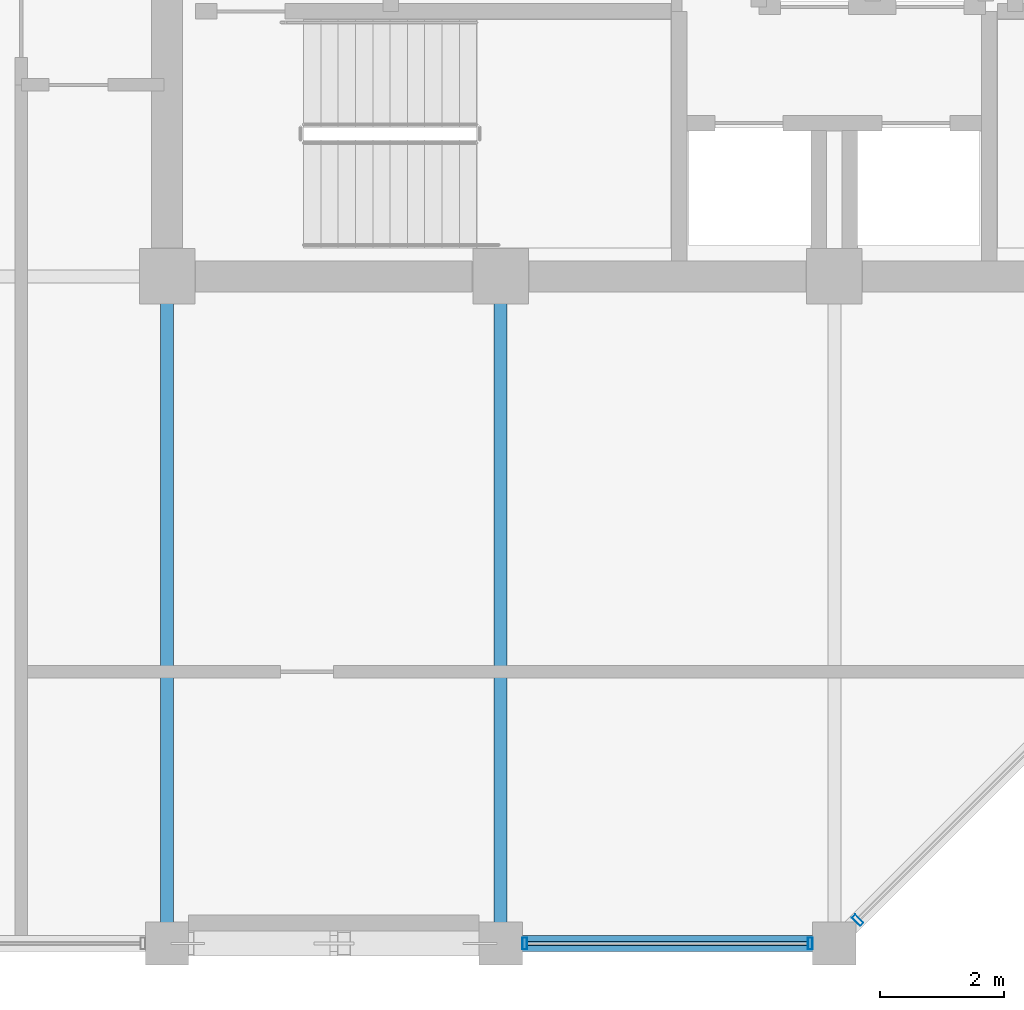
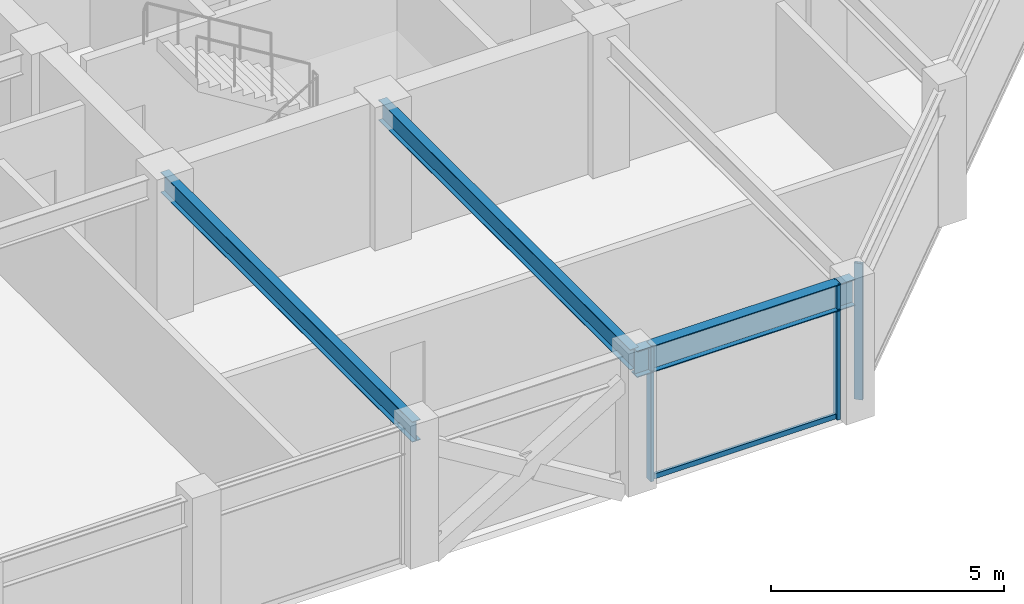
# One storey, part 6 of 30: 4 members, 3 beams, 2 elements without a shape of their own.
"""IFC4 building model written with IfcOpenShell, lengths in metres."""

from ifc_helpers import new_model, si_unit, direction, frame, origin, origin_2d, place, context, subcontext, project, spatial, hollow_rectangle, i_section, extrude, material, layer, layer_set, material_profile, profile_set, type_object, element, aggregate, save


model = new_model("IFC4")

# Units and contexts
model_context = context("Model", 3, precision=1e-05, world=origin(), true_north=direction((0.0, 1.0)))
body_context = subcontext(model_context, "Body", "Model", "MODEL_VIEW")
ifc_project = project(units=[si_unit("LENGTHUNIT", "METRE"), si_unit("AREAUNIT", "SQUARE_METRE"), si_unit("VOLUMEUNIT", "CUBIC_METRE"), si_unit("PLANEANGLEUNIT", "RADIAN"), si_unit("MASSUNIT", "GRAM", prefix="KILO")], contexts=[model_context])

# Site, building, storey
site_placement = place(None, origin())
site = spatial("IfcSite", under=ifc_project, at=site_placement, CompositionType="ELEMENT")
building_placement = place(site_placement, origin())
building = spatial("IfcBuilding", under=site, at=building_placement, Name="Surkhivell Harbour Commons", CompositionType="ELEMENT")
storey_placement = place(building_placement, frame((0.0, 0.0, 292.5)))
storey = spatial("IfcBuildingStorey", under=building, at=storey_placement, Name="L76", CompositionType="ELEMENT", Elevation=292.5)

# Beams
ifc_material_1 = material(Name="Steel S355", Category="steel")
ifc_material_profile_1 = material_profile(ifc_material_1, i_section(OverallWidth=0.2099609375, OverallDepth=0.537109375, WebThickness=0.0107421875, FlangeThickness=0.017333984375, at=origin_2d()), Name="UB533x210x101")
ifc_profile_set_1 = profile_set([ifc_material_profile_1], Name="Steel S355")
beam_type_1 = type_object("IfcBeamType", Name="BM-GRD-533B", PredefinedType="BEAM", material=ifc_profile_set_1)
for number, where, z_axis, x_axis, name in (
    (1, (-10.800048828125, -21.60009765625, 3.301513671875), (0.0, 1.0, 0.0), (-1.0, 0.0, 0.0), "L76 Floor Girder (-10.8,-21.6)"),
    (2, (-5.39990234375, -21.60009765625, 3.301513671875), (0.0, 1.0, 0.0), (-1.0, 0.0, 0.0), "L76 Floor Girder (-5.4,-21.6)"),
):
    element("IfcBeam", number, at=place(storey_placement, frame(where, z_axis=z_axis, x_axis=x_axis)), inside=storey, type_object=beam_type_1, Name=name, PredefinedType="BEAM", context=body_context, shape_type="SweptSolid", body=[
        extrude(i_section(OverallWidth=0.2099609375, OverallDepth=0.537109375, WebThickness=0.0107421875, FlangeThickness=0.017333984375, at=origin_2d()), origin(), (0.0, 0.0, 1.0), 10.800048828125),
    ])
ifc_material_profile_2 = material_profile(ifc_material_1, i_section(OverallWidth=0.256103515625, OverallDepth=0.693115234375, WebThickness=0.014404296875, FlangeThickness=0.023681640625, at=origin_2d()), Name="UB686x254x170")
ifc_profile_set_2 = profile_set([ifc_material_profile_2], Name="Steel S355")
beam_type_2 = type_object("IfcBeamType", Name="BM-SPN-686", PredefinedType="SPANDREL", material=ifc_profile_set_2)
beam_placement = place(storey_placement, frame((-5.39990234375, -21.60009765625, 3.223388671875), z_axis=(1.0, 0.0, 0.0), x_axis=(0.0, 1.0, 0.0)))
element("IfcBeam", 3, at=beam_placement, inside=storey, type_object=beam_type_2, Name="L76 Tube Spandrel (-5.4,-21.6)", PredefinedType="SPANDREL", context=body_context, shape_type="SweptSolid", body=[
    extrude(i_section(OverallWidth=0.256103515625, OverallDepth=0.693115234375, WebThickness=0.014404296875, FlangeThickness=0.023681640625, at=origin_2d()), origin(), (0.0, 0.0, 1.0), 5.39990234375),
])

# Curtain wall, members
ifc_material_2 = material(Name="Anodised pale-metal aluminium and insulated glazing", Category="aluminium")
ifc_layer = layer(ifc_material_2, 0.175048828125)
ifc_layer_set = layer_set([ifc_layer], Name="Anodised pale-metal aluminium and insulated glazing")
curtain_wall_type = type_object("IfcCurtainWallType", Name="CW-SYS-Z4", PredefinedType="NOTDEFINED", material=ifc_layer_set)
curtain_wall_1_placement = place(storey_placement, origin())
curtain_wall_1 = element("IfcCurtainWall", 4, at=curtain_wall_1_placement, inside=storey, type_object=curtain_wall_type, Name="L76 Curtain Wall CW-L76-E00S2", PredefinedType="NOTDEFINED")
ifc_material_3 = material(Name="Anodised pale-metal aluminium alloy 6063-T6", Category="aluminium")
ifc_material_profile_3 = material_profile(ifc_material_3, hollow_rectangle(XDim=0.074951171875, YDim=0.18994140625, WallThickness=0.00390625, at=origin_2d()), Name="ALU-MULL-75x190")
ifc_profile_set_3 = profile_set([ifc_material_profile_3], Name="Anodised pale-metal aluminium alloy 6063-T6")
member_type_1 = type_object("IfcMemberType", Name="CWM-190", PredefinedType="MULLION", material=ifc_profile_set_3)
member_1_placement = place(storey_placement, frame((-5.010498046875, -21.60009765625, 0.0), z_axis=(0.0, 0.0, 1.0), x_axis=(1.0, 0.0, 0.0)))
member_1 = element("IfcMember", 5, at=member_1_placement, type_object=member_type_1, Name="CW-Z4 mullion 1", PredefinedType="MULLION", context=body_context, shape_type="SweptSolid", body=[
    extrude(hollow_rectangle(XDim=0.074951171875, YDim=0.18994140625, WallThickness=0.00390625, at=origin_2d()), origin(), (0.0, 0.0, 1.0), 3.570068359375),
])
member_2_placement = place(storey_placement, frame((-0.389404296875, -21.60009765625, 0.0), z_axis=(0.0, 0.0, 1.0), x_axis=(1.0, 0.0, 0.0)))
member_2 = element("IfcMember", 6, at=member_2_placement, type_object=member_type_1, Name="CW-Z4 mullion 2", PredefinedType="MULLION", context=body_context, shape_type="SweptSolid", body=[
    extrude(hollow_rectangle(XDim=0.074951171875, YDim=0.18994140625, WallThickness=0.00390625, at=origin_2d()), origin(), (0.0, 0.0, 1.0), 3.570068359375),
])

# Curtain wall, member
curtain_wall_2_placement = place(storey_placement, origin())
curtain_wall_2 = element("IfcCurtainWall", 7, at=curtain_wall_2_placement, inside=storey, type_object=curtain_wall_type, Name="L76 Curtain Wall CW-L76-E01", PredefinedType="NOTDEFINED")
member_3_placement = place(storey_placement, frame((0.378173828125, -21.221923828125, 0.0), z_axis=(0.0, 0.0, 1.0), x_axis=(0.707106781187, 0.707106781187, 0.0)))
member_3 = element("IfcMember", 8, at=member_3_placement, type_object=member_type_1, Name="CW-Z4 mullion 1", PredefinedType="MULLION", context=body_context, shape_type="SweptSolid", body=[
    extrude(hollow_rectangle(XDim=0.074951171875, YDim=0.18994140625, WallThickness=0.00390625, at=origin_2d()), origin(), (0.0, 0.0, 1.0), 3.570068359375),
])
aggregate(curtain_wall_2, [member_3])

# Member
ifc_material_4 = material(Name="Champagne anodised aluminium alloy 6063-T6", Category="aluminium")
ifc_material_profile_4 = material_profile(ifc_material_4, hollow_rectangle(XDim=0.070068359375, YDim=0.1298828125, WallThickness=0.00341796875, at=origin_2d()), Name="ALU-TRAN-70x130")
ifc_profile_set_4 = profile_set([ifc_material_profile_4], Name="Champagne anodised aluminium alloy 6063-T6")
member_type_2 = type_object("IfcMemberType", Name="CWT-130", PredefinedType="USERDEFINED", material=ifc_profile_set_4)
member_4_placement = place(storey_placement, frame((-4.972900390625, -21.60009765625, 0.06494140625), z_axis=(1.0, 0.0, 0.0), x_axis=(0.0, 1.0, 0.0)))
member_4 = element("IfcMember", 9, at=member_4_placement, type_object=member_type_2, Name="CW-Z4 transom 1.1", ObjectType="TRANSOM", PredefinedType="USERDEFINED", context=body_context, shape_type="SweptSolid", body=[
    extrude(hollow_rectangle(XDim=0.070068359375, YDim=0.1298828125, WallThickness=0.00341796875, at=origin_2d()), origin(), (0.0, 0.0, 1.0), 4.5458984375),
])

aggregate(curtain_wall_1, [member_1, member_2, member_4])

save(model, "model.ifc")
